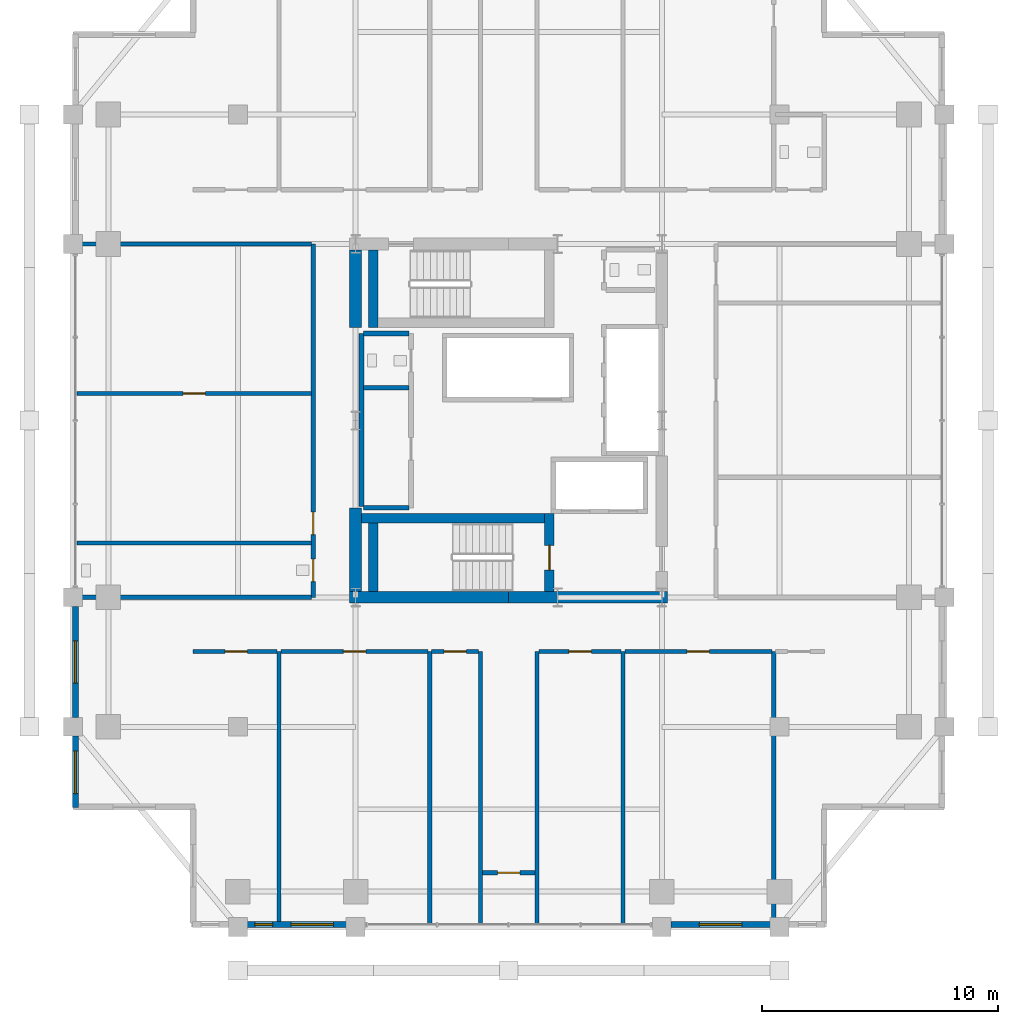
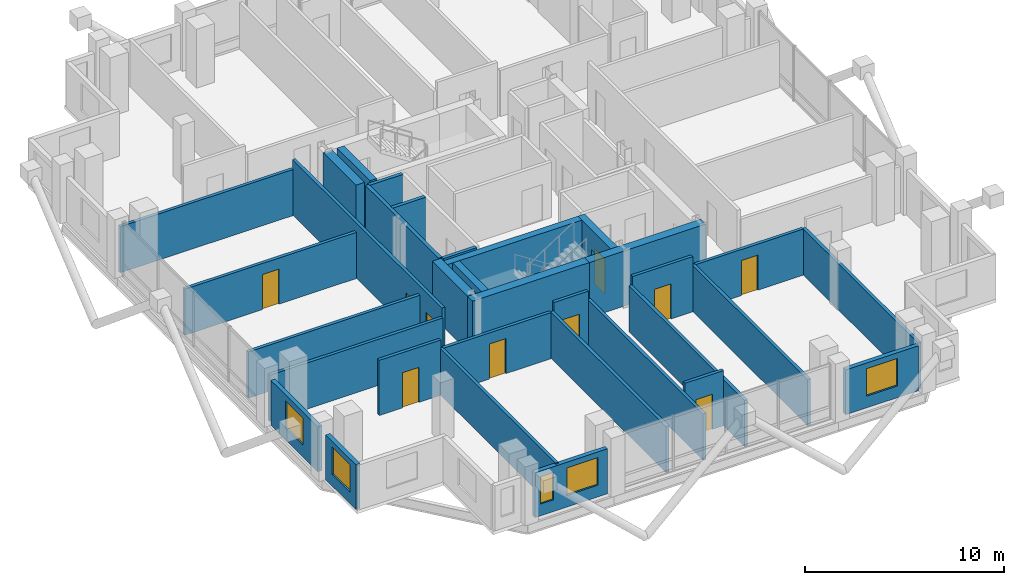
# One storey, part 18 of 23: 33 walls, 10 doors, 5 windows, 15 openings.
"""IFC4 building model written with IfcOpenShell, lengths in metres."""

from ifc_helpers import new_model, si_unit, direction, frame, frame_2d, origin, place, context, subcontext, project, spatial, rectangle, extrude, material, layer, layer_set, type_object, element, fill, save


model = new_model("IFC4")

# Units and contexts
model_context = context("Model", 3, precision=1e-05, world=origin(), true_north=direction((0.0, 1.0)))
body_context = subcontext(model_context, "Body", "Model", "MODEL_VIEW")
ifc_project = project(units=[si_unit("LENGTHUNIT", "METRE"), si_unit("AREAUNIT", "SQUARE_METRE"), si_unit("VOLUMEUNIT", "CUBIC_METRE"), si_unit("PLANEANGLEUNIT", "RADIAN"), si_unit("MASSUNIT", "GRAM", prefix="KILO")], contexts=[model_context])

# Site, building, storey
site_placement = place(None, origin())
site = spatial("IfcSite", under=ifc_project, at=site_placement, CompositionType="ELEMENT")
building_placement = place(site_placement, origin())
building = spatial("IfcBuilding", under=site, at=building_placement, Name="Barlavira Tower and Art Museum", CompositionType="ELEMENT")
storey_placement = place(building_placement, frame((0.0, 0.0, 205.199951171875)))
storey = spatial("IfcBuildingStorey", under=building, at=storey_placement, Name="L53", CompositionType="ELEMENT", Elevation=205.199951171875)

# Walls
ifc_material_1 = material(Name="Concrete C60", Category="concrete")
ifc_layer_1 = layer(ifc_material_1, 0.5, Name="Concrete C60")
ifc_layer_set_1 = layer_set([ifc_layer_1], Name="Concrete C60")
wall_type_1 = type_object("IfcWallType", Name="Core Structural Shear Wall 500 Concrete C60", PredefinedType="SHEAR", material=ifc_layer_set_1)
for number, where, z_axis, x_axis, name in (
    (1, (-6.75, -7.5, 0.0), (0.0, 0.0, 1.0), (1.0, 0.0, 0.0), "L53 Core Shear Wall CS-SW"),
    (2, (0.0, -7.5, 0.0), (0.0, 0.0, 1.0), (1.0, 0.0, 0.0), "L53 Core Shear Wall CS-SE"),
):
    element("IfcWall", number, at=place(storey_placement, frame(where, z_axis=z_axis, x_axis=x_axis)), inside=storey, type_object=wall_type_1, Name=name, PredefinedType="SHEAR", context=body_context, shape_type="SweptSolid", body=[
        extrude(rectangle(XDim=6.75, YDim=0.5, at=frame_2d((3.375, 0.0))), origin(), (0.0, 0.0, 1.0), 3.380126953125),
    ])
wall_1_placement = place(storey_placement, frame((-6.5, -7.25, 0.0), z_axis=(0.0, 0.0, 1.0), x_axis=(0.0, 1.0, 0.0)))
element("IfcWall", 3, at=wall_1_placement, inside=storey, type_object=wall_type_1, Name="L53 Core Shear Wall CS-W1", PredefinedType="SHEAR", context=body_context, shape_type="SweptSolid", body=[
    extrude(rectangle(XDim=3.550048828125, YDim=0.5, at=frame_2d((1.77490234375, 0.0))), origin(), (0.0, 0.0, 1.0), 3.380126953125),
])
wall_2_placement = place(storey_placement, frame((-6.5, 3.949951171875, 0.0), z_axis=(0.0, 0.0, 1.0), x_axis=(0.0, 1.0, 0.0)))
element("IfcWall", 4, at=wall_2_placement, inside=storey, type_object=wall_type_1, Name="L53 Core Shear Wall CS-W2", PredefinedType="SHEAR", context=body_context, shape_type="SweptSolid", body=[
    extrude(rectangle(XDim=3.300048828125, YDim=0.5, at=frame_2d((1.64990234375, 0.0))), origin(), (0.0, 0.0, 1.0), 3.380126953125),
])
ifc_material_2 = material(Name="Autoclaved aerated concrete masonry", Category="masonry")
ifc_layer_2 = layer(ifc_material_2, 0.199951171875, Name="Autoclaved aerated concrete masonry")
ifc_layer_set_2 = layer_set([ifc_layer_2], Name="Autoclaved aerated concrete masonry")
wall_type_2 = type_object("IfcWallType", Name="Fire Compartment and Shaft Wall 200", PredefinedType="SOLIDWALL", material=ifc_layer_set_2)
wall_3_placement = place(storey_placement, frame((-6.25, -3.639892578125, 0.0), z_axis=(0.0, 0.0, 1.0), x_axis=(0.0, 1.0, 0.0)))
element("IfcWall", 5, at=wall_3_placement, inside=storey, type_object=wall_type_2, Name="L53 Partition Wall 4", PredefinedType="SOLIDWALL", context=body_context, shape_type="SweptSolid", body=[
    extrude(rectangle(XDim=7.33984375, YDim=0.199951171875, at=frame_2d((3.669921875, 0.0))), origin(), (0.0, 0.0, 1.0), 3.380126953125),
])
for number, where, z_axis, x_axis, name in (
    (6, (-6.169921875, -3.699951171875, 0.0), (0.0, 0.0, 1.0), (1.0, 0.0, 0.0), "L53 Partition Wall 29"),
    (7, (-6.169921875, 1.39990234375, 0.0), (0.0, 0.0, 1.0), (1.0, 0.0, 0.0), "L53 Partition Wall 32"),
    (8, (-6.169921875, 3.699951171875, 0.0), (0.0, 0.0, 1.0), (1.0, 0.0, 0.0), "L53 Partition Wall 33"),
):
    element("IfcWall", number, at=place(storey_placement, frame(where, z_axis=z_axis, x_axis=x_axis)), inside=storey, type_object=wall_type_2, Name=name, PredefinedType="SOLIDWALL", context=body_context, shape_type="SweptSolid", body=[
        extrude(rectangle(XDim=1.93994140625, YDim=0.199951171875, at=frame_2d((0.969970703125, 0.0))), origin(), (0.0, 0.0, 1.0), 3.380126953125),
    ])
ifc_material_3 = material(Name="Gypsum acoustic stud partition", Category="gypsum")
ifc_layer_3 = layer(ifc_material_3, 0.179931640625, Name="Gypsum acoustic stud partition")
ifc_layer_set_3 = layer_set([ifc_layer_3], Name="Gypsum acoustic stud partition")
wall_type_3 = type_object("IfcWallType", Name="Inter-Tenancy Party Partition Wall 180", PredefinedType="PARTITIONING", material=ifc_layer_set_3)
wall_4_placement = place(storey_placement, frame((-9.75, -21.39990234375, 0.0), z_axis=(0.0, 0.0, 1.0), x_axis=(0.0, 1.0, 0.0)))
element("IfcWall", 9, at=wall_4_placement, inside=storey, type_object=wall_type_3, Name="L53 Partition Wall 1", PredefinedType="PARTITIONING", context=body_context, shape_type="SweptSolid", body=[
    extrude(rectangle(XDim=11.599853515625, YDim=0.179931640625, at=frame_2d((5.7998046875, 0.0))), origin(), (0.0, 0.0, 1.0), 2.825927734375),
])

# Wall, openings, doors
wall_5_placement = place(storey_placement, frame((-8.300048828125, -7.5, 0.0), z_axis=(0.0, 0.0, 1.0), x_axis=(0.0, 1.0, 0.0)))
wall_5 = element("IfcWall", 10, at=wall_5_placement, inside=storey, type_object=wall_type_3, Name="L53 Partition Wall 3", PredefinedType="PARTITIONING", context=body_context, shape_type="SweptSolid", body=[
    extrude(rectangle(XDim=15.0, YDim=0.179931640625, at=frame_2d((7.5, 0.0))), origin(), (0.0, 0.0, 1.0), 3.380126953125),
])
opening_1_placement = place(wall_5_placement, frame((0.6650390625, 0.0, 0.0)))
opening_1 = element("IfcOpeningElement", 11, at=opening_1_placement, cuts=wall_5, Name="Opening FD-60", PredefinedType="OPENING", context=body_context, shape_type="SweptSolid", body=[
    extrude(rectangle(XDim=0.949951171875, YDim=2.14990234375, at=frame_2d((0.47509765625, 1.074951171875))), frame((0.0, 0.10009765625, 0.0), z_axis=(0.0, -1.0, 0.0), x_axis=(1.0, 0.0, 0.0)), (0.0, 0.0, 1.0), 0.199951171875),
])
opening_2_placement = place(wall_5_placement, frame((2.6650390625, 0.0, 0.0)))
opening_2 = element("IfcOpeningElement", 12, at=opening_2_placement, cuts=wall_5, Name="Opening FD-60", PredefinedType="OPENING", context=body_context, shape_type="SweptSolid", body=[
    extrude(rectangle(XDim=0.949951171875, YDim=2.14990234375, at=frame_2d((0.47509765625, 1.074951171875))), frame((0.0, 0.10009765625, 0.0), z_axis=(0.0, -1.0, 0.0), x_axis=(1.0, 0.0, 0.0)), (0.0, 0.0, 1.0), 0.199951171875),
])
ifc_material_4 = material(Name="Brushed stainless steel", Category="steel")
door_type_1 = type_object("IfcDoorType", Name="Apartment Entrance and Riser Fire Door 950x2150 FD60S", OperationType="NOTDEFINED", PredefinedType="DOOR", material=ifc_material_4)
door_1_placement = place(opening_1_placement, origin())
door_1 = element("IfcDoor", 13, at=door_1_placement, inside=storey, type_object=door_type_1, Name="Wellness Changing and Accessible Shower WC Door", OperationType="SINGLE_SWING_LEFT", OverallHeight=2.14990234375, OverallWidth=0.949951171875, PredefinedType="DOOR", context=body_context, shape_type="SweptSolid", body=[
    extrude(rectangle(XDim=0.949951171875, YDim=2.14990234375, at=frame_2d((0.47509765625, 1.074951171875))), frame((0.0, 0.02490234375, 0.0), z_axis=(0.0, -1.0, 0.0), x_axis=(1.0, 0.0, 0.0)), (0.0, 0.0, 1.0), 0.050048828125),
])
fill(opening_1, door_1)
door_2_placement = place(opening_2_placement, origin())
door_2 = element("IfcDoor", 14, at=door_2_placement, inside=storey, type_object=door_type_1, Name="Resident Ocean-View Fitness Studio Door", OperationType="SINGLE_SWING_RIGHT", OverallHeight=2.14990234375, OverallWidth=0.949951171875, PredefinedType="DOOR", context=body_context, shape_type="SweptSolid", body=[
    extrude(rectangle(XDim=0.949951171875, YDim=2.14990234375, at=frame_2d((0.47509765625, 1.074951171875))), frame((0.0, 0.02490234375, 0.0), z_axis=(0.0, -1.0, 0.0), x_axis=(1.0, 0.0, 0.0)), (0.0, 0.0, 1.0), 0.050048828125),
])
fill(opening_2, door_2)

# Walls
for number, where, z_axis, x_axis, name in (
    (15, (-3.35009765625, -21.39990234375, 0.0), (0.0, 0.0, 1.0), (0.0, 1.0, 0.0), "L53 Partition Wall 6"),
    (16, (-1.199951171875, -21.39990234375, 0.0), (0.0, 0.0, 1.0), (0.0, 1.0, 0.0), "L53 Partition Wall 8"),
    (17, (1.199951171875, -21.39990234375, 0.0), (0.0, 0.0, 1.0), (0.0, 1.0, 0.0), "L53 Partition Wall 10"),
    (18, (4.85009765625, -21.39990234375, 0.0), (0.0, 0.0, 1.0), (0.0, 1.0, 0.0), "L53 Partition Wall 13"),
    (19, (11.25, -21.39990234375, 0.0), (0.0, 0.0, 1.0), (0.0, 1.0, 0.0), "L53 Partition Wall 16"),
):
    element("IfcWall", number, at=place(storey_placement, frame(where, z_axis=z_axis, x_axis=x_axis)), inside=storey, type_object=wall_type_3, Name=name, PredefinedType="PARTITIONING", context=body_context, shape_type="SweptSolid", body=[
        extrude(rectangle(XDim=11.599853515625, YDim=0.179931640625, at=frame_2d((5.7998046875, 0.0))), origin(), (0.0, 0.0, 1.0), 2.825927734375),
    ])

# Wall, opening, door
wall_6_placement = place(storey_placement, frame((-1.1201171875, -19.199951171875, 0.0), z_axis=(0.0, 0.0, 1.0), x_axis=(1.0, 0.0, 0.0)))
wall_6 = element("IfcWall", 20, at=wall_6_placement, inside=storey, type_object=wall_type_3, Name="L53 Partition Wall 19", PredefinedType="PARTITIONING", context=body_context, shape_type="SweptSolid", body=[
    extrude(rectangle(XDim=2.240234375, YDim=0.179931640625, at=frame_2d((1.1201171875, 0.0))), origin(), (0.0, 0.0, 1.0), 3.380126953125),
])
opening_3_placement = place(wall_6_placement, frame((0.64501953125, 0.0, 0.0)))
opening_3 = element("IfcOpeningElement", 21, at=opening_3_placement, cuts=wall_6, Name="Opening FD-60", PredefinedType="OPENING", context=body_context, shape_type="SweptSolid", body=[
    extrude(rectangle(XDim=0.949951171875, YDim=2.14990234375, at=frame_2d((0.47509765625, 1.074951171875))), frame((0.0, 0.10009765625, 0.0), z_axis=(0.0, -1.0, 0.0), x_axis=(1.0, 0.0, 0.0)), (0.0, 0.0, 1.0), 0.199951171875),
])
door_3_placement = place(opening_3_placement, origin())
door_3 = element("IfcDoor", 22, at=door_3_placement, inside=storey, type_object=door_type_1, Name="L53 South Horizon Reading Alcove Door", OperationType="SINGLE_SWING_RIGHT", OverallHeight=2.14990234375, OverallWidth=0.949951171875, PredefinedType="DOOR", context=body_context, shape_type="SweptSolid", body=[
    extrude(rectangle(XDim=0.949951171875, YDim=2.14990234375, at=frame_2d((0.47509765625, 1.074951171875))), frame((0.0, 0.02490234375, 0.0), z_axis=(0.0, -1.0, 0.0), x_axis=(1.0, 0.0, 0.0)), (0.0, 0.0, 1.0), 0.050048828125),
])
fill(opening_3, door_3)

wall_7_placement = place(storey_placement, frame((-13.39990234375, -9.800048828125, 0.0), z_axis=(0.0, 0.0, 1.0), x_axis=(1.0, 0.0, 0.0)))
wall_7 = element("IfcWall", 23, at=wall_7_placement, inside=storey, type_object=wall_type_3, Name="L53 Partition Wall 20", PredefinedType="PARTITIONING", context=body_context, shape_type="SweptSolid", body=[
    extrude(rectangle(XDim=3.56982421875, YDim=0.179931640625, at=frame_2d((1.784912109375, 0.0))), origin(), (0.0, 0.0, 1.0), 3.380126953125),
])
opening_4_placement = place(wall_7_placement, frame((1.35498046875, 0.0, 0.0)))
opening_4 = element("IfcOpeningElement", 24, at=opening_4_placement, cuts=wall_7, Name="Opening FD-60", PredefinedType="OPENING", context=body_context, shape_type="SweptSolid", body=[
    extrude(rectangle(XDim=0.949951171875, YDim=2.14990234375, at=frame_2d((0.47509765625, 1.074951171875))), frame((0.0, 0.10009765625, 0.0), z_axis=(0.0, -1.0, 0.0), x_axis=(1.0, 0.0, 0.0)), (0.0, 0.0, 1.0), 0.199951171875),
])
door_4_placement = place(opening_4_placement, origin())
door_4 = element("IfcDoor", 25, at=door_4_placement, inside=storey, type_object=door_type_1, Name="Resident Art Collectors Salon Door", OperationType="SINGLE_SWING_LEFT", OverallHeight=2.14990234375, OverallWidth=0.949951171875, PredefinedType="DOOR", context=body_context, shape_type="SweptSolid", body=[
    extrude(rectangle(XDim=0.949951171875, YDim=2.14990234375, at=frame_2d((0.47509765625, 1.074951171875))), frame((0.0, 0.02490234375, 0.0), z_axis=(0.0, -1.0, 0.0), x_axis=(1.0, 0.0, 0.0)), (0.0, 0.0, 1.0), 0.050048828125),
])
fill(opening_4, door_4)

wall_8_placement = place(storey_placement, frame((-9.669921875, -9.800048828125, 0.0), z_axis=(0.0, 0.0, 1.0), x_axis=(1.0, 0.0, 0.0)))
wall_8 = element("IfcWall", 26, at=wall_8_placement, inside=storey, type_object=wall_type_3, Name="L53 Partition Wall 21", PredefinedType="PARTITIONING", context=body_context, shape_type="SweptSolid", body=[
    extrude(rectangle(XDim=6.239990234375, YDim=0.179931640625, at=frame_2d((3.1201171875, 0.0))), origin(), (0.0, 0.0, 1.0), 2.825927734375),
])
opening_5_placement = place(wall_8_placement, frame((2.655029296875, 0.0, 0.0)))
opening_5 = element("IfcOpeningElement", 27, at=opening_5_placement, cuts=wall_8, Name="Opening FD-60", PredefinedType="OPENING", context=body_context, shape_type="SweptSolid", body=[
    extrude(rectangle(XDim=0.949951171875, YDim=2.14990234375, at=frame_2d((0.47509765625, 1.074951171875))), frame((0.0, 0.10009765625, 0.0), z_axis=(0.0, -1.0, 0.0), x_axis=(1.0, 0.0, 0.0)), (0.0, 0.0, 1.0), 0.199951171875),
])
door_5_placement = place(opening_5_placement, origin())
door_5 = element("IfcDoor", 28, at=door_5_placement, inside=storey, type_object=door_type_1, Name="Sculpture and Painting Workshop Door", OperationType="SINGLE_SWING_RIGHT", OverallHeight=2.14990234375, OverallWidth=0.949951171875, PredefinedType="DOOR", context=body_context, shape_type="SweptSolid", body=[
    extrude(rectangle(XDim=0.949951171875, YDim=2.14990234375, at=frame_2d((0.47509765625, 1.074951171875))), frame((0.0, 0.02490234375, 0.0), z_axis=(0.0, -1.0, 0.0), x_axis=(1.0, 0.0, 0.0)), (0.0, 0.0, 1.0), 0.050048828125),
])
fill(opening_5, door_5)

wall_9_placement = place(storey_placement, frame((-3.27001953125, -9.800048828125, 0.0), z_axis=(0.0, 0.0, 1.0), x_axis=(1.0, 0.0, 0.0)))
wall_9 = element("IfcWall", 29, at=wall_9_placement, inside=storey, type_object=wall_type_3, Name="L53 Partition Wall 22", PredefinedType="PARTITIONING", context=body_context, shape_type="SweptSolid", body=[
    extrude(rectangle(XDim=1.989990234375, YDim=0.179931640625, at=frame_2d((0.9951171875, 0.0))), origin(), (0.0, 0.0, 1.0), 3.380126953125),
])
opening_6_placement = place(wall_9_placement, frame((0.52490234375, 0.0, 0.0)))
opening_6 = element("IfcOpeningElement", 30, at=opening_6_placement, cuts=wall_9, Name="Opening FD-60", PredefinedType="OPENING", context=body_context, shape_type="SweptSolid", body=[
    extrude(rectangle(XDim=0.949951171875, YDim=2.14990234375, at=frame_2d((0.47509765625, 1.074951171875))), frame((0.0, 0.10009765625, 0.0), z_axis=(0.0, -1.0, 0.0), x_axis=(1.0, 0.0, 0.0)), (0.0, 0.0, 1.0), 0.199951171875),
])
door_6_placement = place(opening_6_placement, origin())
door_6 = element("IfcDoor", 31, at=door_6_placement, inside=storey, type_object=door_type_1, Name="Climate-Controlled Wine Tasting Room Door", OperationType="SINGLE_SWING_LEFT", OverallHeight=2.14990234375, OverallWidth=0.949951171875, PredefinedType="DOOR", context=body_context, shape_type="SweptSolid", body=[
    extrude(rectangle(XDim=0.949951171875, YDim=2.14990234375, at=frame_2d((0.47509765625, 1.074951171875))), frame((0.0, 0.02490234375, 0.0), z_axis=(0.0, -1.0, 0.0), x_axis=(1.0, 0.0, 0.0)), (0.0, 0.0, 1.0), 0.050048828125),
])
fill(opening_6, door_6)

wall_10_placement = place(storey_placement, frame((1.280029296875, -9.800048828125, 0.0), z_axis=(0.0, 0.0, 1.0), x_axis=(1.0, 0.0, 0.0)))
wall_10 = element("IfcWall", 32, at=wall_10_placement, inside=storey, type_object=wall_type_3, Name="L53 Partition Wall 23", PredefinedType="PARTITIONING", context=body_context, shape_type="SweptSolid", body=[
    extrude(rectangle(XDim=3.489990234375, YDim=0.179931640625, at=frame_2d((1.7451171875, 0.0))), origin(), (0.0, 0.0, 1.0), 3.380126953125),
])
opening_7_placement = place(wall_10_placement, frame((1.27490234375, 0.0, 0.0)))
opening_7 = element("IfcOpeningElement", 33, at=opening_7_placement, cuts=wall_10, Name="Opening FD-60", PredefinedType="OPENING", context=body_context, shape_type="SweptSolid", body=[
    extrude(rectangle(XDim=0.949951171875, YDim=2.14990234375, at=frame_2d((0.47509765625, 1.074951171875))), frame((0.0, 0.10009765625, 0.0), z_axis=(0.0, -1.0, 0.0), x_axis=(1.0, 0.0, 0.0)), (0.0, 0.0, 1.0), 0.199951171875),
])
door_7_placement = place(opening_7_placement, origin())
door_7 = element("IfcDoor", 34, at=door_7_placement, inside=storey, type_object=door_type_1, Name="Resident Rare-Book Reading Room Door", OperationType="SINGLE_SWING_RIGHT", OverallHeight=2.14990234375, OverallWidth=0.949951171875, PredefinedType="DOOR", context=body_context, shape_type="SweptSolid", body=[
    extrude(rectangle(XDim=0.949951171875, YDim=2.14990234375, at=frame_2d((0.47509765625, 1.074951171875))), frame((0.0, 0.02490234375, 0.0), z_axis=(0.0, -1.0, 0.0), x_axis=(1.0, 0.0, 0.0)), (0.0, 0.0, 1.0), 0.050048828125),
])
fill(opening_7, door_7)

wall_11_placement = place(storey_placement, frame((4.929931640625, -9.800048828125, 0.0), z_axis=(0.0, 0.0, 1.0), x_axis=(1.0, 0.0, 0.0)))
wall_11 = element("IfcWall", 35, at=wall_11_placement, inside=storey, type_object=wall_type_3, Name="L53 Partition Wall 24", PredefinedType="PARTITIONING", context=body_context, shape_type="SweptSolid", body=[
    extrude(rectangle(XDim=6.239990234375, YDim=0.179931640625, at=frame_2d((3.1201171875, 0.0))), origin(), (0.0, 0.0, 1.0), 2.825927734375),
])
opening_8_placement = place(wall_11_placement, frame((2.64501953125, 0.0, 0.0)))
opening_8 = element("IfcOpeningElement", 36, at=opening_8_placement, cuts=wall_11, Name="Opening FD-60", PredefinedType="OPENING", context=body_context, shape_type="SweptSolid", body=[
    extrude(rectangle(XDim=0.949951171875, YDim=2.14990234375, at=frame_2d((0.47509765625, 1.074951171875))), frame((0.0, 0.10009765625, 0.0), z_axis=(0.0, -1.0, 0.0), x_axis=(1.0, 0.0, 0.0)), (0.0, 0.0, 1.0), 0.199951171875),
])
door_8_placement = place(opening_8_placement, origin())
door_8 = element("IfcDoor", 37, at=door_8_placement, inside=storey, type_object=door_type_1, Name="Private Coastal Dining Salon Door", OperationType="SINGLE_SWING_LEFT", OverallHeight=2.14990234375, OverallWidth=0.949951171875, PredefinedType="DOOR", context=body_context, shape_type="SweptSolid", body=[
    extrude(rectangle(XDim=0.949951171875, YDim=2.14990234375, at=frame_2d((0.47509765625, 1.074951171875))), frame((0.0, 0.02490234375, 0.0), z_axis=(0.0, -1.0, 0.0), x_axis=(1.0, 0.0, 0.0)), (0.0, 0.0, 1.0), 0.050048828125),
])
fill(opening_8, door_8)

# Walls
wall_12_placement = place(storey_placement, frame((-18.39990234375, -7.5, 0.0), z_axis=(0.0, 0.0, 1.0), x_axis=(1.0, 0.0, 0.0)))
element("IfcWall", 38, at=wall_12_placement, inside=storey, type_object=wall_type_3, Name="L53 Partition Wall 26", PredefinedType="PARTITIONING", context=body_context, shape_type="SweptSolid", body=[
    extrude(rectangle(XDim=10.02001953125, YDim=0.179931640625, at=frame_2d((5.010009765625, 0.0))), origin(), (0.0, 0.0, 1.0), 2.825927734375),
])
wall_13_placement = place(storey_placement, frame((-18.320068359375, -5.199951171875, 0.0), z_axis=(0.0, 0.0, 1.0), x_axis=(1.0, 0.0, 0.0)))
element("IfcWall", 39, at=wall_13_placement, inside=storey, type_object=wall_type_3, Name="L53 Partition Wall 28", PredefinedType="PARTITIONING", context=body_context, shape_type="SweptSolid", body=[
    extrude(rectangle(XDim=9.940185546875, YDim=0.179931640625, at=frame_2d((4.97021484375, 0.0))), origin(), (0.0, 0.0, 1.0), 2.825927734375),
])

# Wall, opening, door
wall_14_placement = place(storey_placement, frame((-18.320068359375, 1.14990234375, 0.0), z_axis=(0.0, 0.0, 1.0), x_axis=(1.0, 0.0, 0.0)))
wall_14 = element("IfcWall", 40, at=wall_14_placement, inside=storey, type_object=wall_type_3, Name="L53 Partition Wall 31", PredefinedType="PARTITIONING", context=body_context, shape_type="SweptSolid", body=[
    extrude(rectangle(XDim=9.940185546875, YDim=0.179931640625, at=frame_2d((4.97021484375, 0.0))), origin(), (0.0, 0.0, 1.0), 2.825927734375),
])
opening_9_placement = place(wall_14_placement, frame((4.4951171875, 0.0, 0.0)))
opening_9 = element("IfcOpeningElement", 41, at=opening_9_placement, cuts=wall_14, Name="Opening FD-60", PredefinedType="OPENING", context=body_context, shape_type="SweptSolid", body=[
    extrude(rectangle(XDim=0.949951171875, YDim=2.14990234375, at=frame_2d((0.47509765625, 1.074951171875))), frame((0.0, 0.10009765625, 0.0), z_axis=(0.0, -1.0, 0.0), x_axis=(1.0, 0.0, 0.0)), (0.0, 0.0, 1.0), 0.199951171875),
])
door_9_placement = place(opening_9_placement, origin())
door_9 = element("IfcDoor", 42, at=door_9_placement, inside=storey, type_object=door_type_1, Name="Coastal Hydrotherapy and Yoga Lounge Door", OperationType="SINGLE_SWING_LEFT", OverallHeight=2.14990234375, OverallWidth=0.949951171875, PredefinedType="DOOR", context=body_context, shape_type="SweptSolid", body=[
    extrude(rectangle(XDim=0.949951171875, YDim=2.14990234375, at=frame_2d((0.47509765625, 1.074951171875))), frame((0.0, 0.02490234375, 0.0), z_axis=(0.0, -1.0, 0.0), x_axis=(1.0, 0.0, 0.0)), (0.0, 0.0, 1.0), 0.050048828125),
])
fill(opening_9, door_9)

# Wall
wall_15_placement = place(storey_placement, frame((-18.39990234375, 7.5, 0.0), z_axis=(0.0, 0.0, 1.0), x_axis=(1.0, 0.0, 0.0)))
element("IfcWall", 43, at=wall_15_placement, inside=storey, type_object=wall_type_3, Name="L53 Partition Wall 37", PredefinedType="PARTITIONING", context=body_context, shape_type="SweptSolid", body=[
    extrude(rectangle(XDim=10.02001953125, YDim=0.179931640625, at=frame_2d((5.010009765625, 0.0))), origin(), (0.0, 0.0, 1.0), 2.825927734375),
])

# Wall, openings, windows
ifc_material_5 = material(Name="Precast concrete C40", Category="concrete")
ifc_layer_4 = layer(ifc_material_5, 0.25, Name="Precast concrete C40")
ifc_layer_set_4 = layer_set([ifc_layer_4], Name="Precast concrete C40")
wall_type_4 = type_object("IfcWallType", Name="Notched Corner Spandrel Wall 250 Precast Concrete C40", PredefinedType="SOLIDWALL", material=ifc_layer_set_4)
wall_16_placement = place(storey_placement, frame((-11.10498046875, -21.39990234375, 0.0), z_axis=(0.0, 0.0, 1.0), x_axis=(1.0, 0.0, 0.0)))
wall_16 = element("IfcWall", 44, at=wall_16_placement, inside=storey, type_object=wall_type_4, Name="L53 Coastal Facade Pier Wall CW3-L53-S-2", PredefinedType="SOLIDWALL", context=body_context, shape_type="SweptSolid", body=[
    extrude(rectangle(XDim=4.2099609375, YDim=0.25, at=frame_2d((2.10498046875, 0.0))), origin(), (0.0, 0.0, 1.0), 2.748046875),
])
opening_10_placement = place(wall_16_placement, frame((0.324951171875, 0.0, 0.719970703125)))
opening_10 = element("IfcOpeningElement", 45, at=opening_10_placement, cuts=wall_16, Name="Opening WN-06", PredefinedType="OPENING", context=body_context, shape_type="SweptSolid", body=[
    extrude(rectangle(XDim=0.760009765625, YDim=1.679931640625, at=frame_2d((0.3798828125, 0.83984375))), frame((0.0, 0.135009765625, 0.0), z_axis=(0.0, -1.0, 0.0), x_axis=(1.0, 0.0, 0.0)), (0.0, 0.0, 1.0), 0.27001953125),
])
opening_11_placement = place(wall_16_placement, frame((1.864990234375, 0.0, 0.719970703125)))
opening_11 = element("IfcOpeningElement", 46, at=opening_11_placement, cuts=wall_16, Name="Opening WN-01", PredefinedType="OPENING", context=body_context, shape_type="SweptSolid", body=[
    extrude(rectangle(XDim=1.800048828125, YDim=1.679931640625, at=frame_2d((0.89990234375, 0.83984375))), frame((0.0, 0.135009765625, 0.0), z_axis=(0.0, -1.0, 0.0), x_axis=(1.0, 0.0, 0.0)), (0.0, 0.0, 1.0), 0.27001953125),
])
ifc_material_6 = material(Name="Low-iron coastal laminated glass", Category="glass")
window_type_1 = type_object("IfcWindowType", Name="Recessed Narrow Pier Window 760x1680", PartitioningType="SINGLE_PANEL", PredefinedType="WINDOW", material=ifc_material_6)
window_1_placement = place(opening_10_placement, origin())
window_1 = element("IfcWindow", 47, at=window_1_placement, inside=storey, type_object=window_type_1, Name="L53 Punched Facade Window EWP-CW3-L53-S-2-1", OverallHeight=1.679931640625, OverallWidth=0.760009765625, PartitioningType="SINGLE_PANEL", PredefinedType="WINDOW", context=body_context, shape_type="SweptSolid", body=[
    extrude(rectangle(XDim=0.760009765625, YDim=1.679931640625, at=frame_2d((0.3798828125, 0.83984375))), frame((0.0, 0.030029296875, 0.0), z_axis=(0.0, -1.0, 0.0), x_axis=(1.0, 0.0, 0.0)), (0.0, 0.0, 1.0), 0.06005859375),
])
fill(opening_10, window_1)
window_type_2 = type_object("IfcWindowType", Name="Recessed Notch Corner Punch Window 1800x1680", PartitioningType="SINGLE_PANEL", PredefinedType="WINDOW", material=ifc_material_6)
window_2_placement = place(opening_11_placement, origin())
window_2 = element("IfcWindow", 48, at=window_2_placement, inside=storey, type_object=window_type_2, Name="L53 Punched Facade Window EWP-CW3-L53-S-2-2", OverallHeight=1.679931640625, OverallWidth=1.800048828125, PartitioningType="SINGLE_PANEL", PredefinedType="WINDOW", context=body_context, shape_type="SweptSolid", body=[
    extrude(rectangle(XDim=1.800048828125, YDim=1.679931640625, at=frame_2d((0.89990234375, 0.83984375))), frame((0.0, 0.030029296875, 0.0), z_axis=(0.0, -1.0, 0.0), x_axis=(1.0, 0.0, 0.0)), (0.0, 0.0, 1.0), 0.06005859375),
])
fill(opening_11, window_2)

# Wall, opening, window
wall_17_placement = place(storey_placement, frame((6.89501953125, -21.39990234375, 0.0), z_axis=(0.0, 0.0, 1.0), x_axis=(1.0, 0.0, 0.0)))
wall_17 = element("IfcWall", 49, at=wall_17_placement, inside=storey, type_object=wall_type_4, Name="L53 Coastal Facade Pier Wall CW3-L53-S-4", PredefinedType="SOLIDWALL", context=body_context, shape_type="SweptSolid", body=[
    extrude(rectangle(XDim=4.2099609375, YDim=0.25, at=frame_2d((2.10498046875, 0.0))), origin(), (0.0, 0.0, 1.0), 2.748046875),
])
opening_12_placement = place(wall_17_placement, frame((1.205078125, 0.0, 0.719970703125)))
opening_12 = element("IfcOpeningElement", 50, at=opening_12_placement, cuts=wall_17, Name="Opening WN-01", PredefinedType="OPENING", context=body_context, shape_type="SweptSolid", body=[
    extrude(rectangle(XDim=1.800048828125, YDim=1.679931640625, at=frame_2d((0.89990234375, 0.83984375))), frame((0.0, 0.135009765625, 0.0), z_axis=(0.0, -1.0, 0.0), x_axis=(1.0, 0.0, 0.0)), (0.0, 0.0, 1.0), 0.27001953125),
])
window_3_placement = place(opening_12_placement, origin())
window_3 = element("IfcWindow", 51, at=window_3_placement, inside=storey, type_object=window_type_2, Name="L53 Punched Facade Window EWP-CW3-L53-S-4-1", OverallHeight=1.679931640625, OverallWidth=1.800048828125, PartitioningType="SINGLE_PANEL", PredefinedType="WINDOW", context=body_context, shape_type="SweptSolid", body=[
    extrude(rectangle(XDim=1.800048828125, YDim=1.679931640625, at=frame_2d((0.89990234375, 0.83984375))), frame((0.0, 0.030029296875, 0.0), z_axis=(0.0, -1.0, 0.0), x_axis=(1.0, 0.0, 0.0)), (0.0, 0.0, 1.0), 0.06005859375),
])
fill(opening_12, window_3)

wall_18_placement = place(storey_placement, frame((-18.39990234375, -7.89501953125, 0.0), z_axis=(0.0, 0.0, 1.0), x_axis=(0.0, -1.0, 0.0)))
wall_18 = element("IfcWall", 52, at=wall_18_placement, inside=storey, type_object=wall_type_4, Name="L53 Coastal Facade Pier Wall CW3-L53-W-4", PredefinedType="SOLIDWALL", context=body_context, shape_type="SweptSolid", body=[
    extrude(rectangle(XDim=4.7099609375, YDim=0.25, at=frame_2d((2.35498046875, 0.0))), origin(), (0.0, 0.0, 1.0), 2.748046875),
])
opening_13_placement = place(wall_18_placement, frame((1.455078125, 0.0, 0.719970703125)))
opening_13 = element("IfcOpeningElement", 53, at=opening_13_placement, cuts=wall_18, Name="Opening WN-01", PredefinedType="OPENING", context=body_context, shape_type="SweptSolid", body=[
    extrude(rectangle(XDim=1.800048828125, YDim=1.679931640625, at=frame_2d((0.89990234375, 0.83984375))), frame((0.0, 0.135009765625, 0.0), z_axis=(0.0, -1.0, 0.0), x_axis=(1.0, 0.0, 0.0)), (0.0, 0.0, 1.0), 0.27001953125),
])
window_4_placement = place(opening_13_placement, origin())
window_4 = element("IfcWindow", 54, at=window_4_placement, inside=storey, type_object=window_type_2, Name="L53 Punched Facade Window EWP-CW3-L53-W-4-1", OverallHeight=1.679931640625, OverallWidth=1.800048828125, PartitioningType="SINGLE_PANEL", PredefinedType="WINDOW", context=body_context, shape_type="SweptSolid", body=[
    extrude(rectangle(XDim=1.800048828125, YDim=1.679931640625, at=frame_2d((0.89990234375, 0.83984375))), frame((0.0, 0.030029296875, 0.0), z_axis=(0.0, -1.0, 0.0), x_axis=(1.0, 0.0, 0.0)), (0.0, 0.0, 1.0), 0.06005859375),
])
fill(opening_13, window_4)

wall_19_placement = place(storey_placement, frame((-18.39990234375, -13.39501953125, 0.0), z_axis=(0.0, 0.0, 1.0), x_axis=(0.0, -1.0, 0.0)))
wall_19 = element("IfcWall", 55, at=wall_19_placement, inside=storey, type_object=wall_type_4, Name="L53 Coastal Facade Pier Wall CW3-L53-W-5", PredefinedType="SOLIDWALL", context=body_context, shape_type="SweptSolid", body=[
    extrude(rectangle(XDim=3.030029296875, YDim=0.25, at=frame_2d((1.51513671875, 0.0))), origin(), (0.0, 0.0, 1.0), 2.748046875),
])
opening_14_placement = place(wall_19_placement, frame((0.637939453125, 0.0, 0.719970703125)))
opening_14 = element("IfcOpeningElement", 56, at=opening_14_placement, cuts=wall_19, Name="Opening WN-01", PredefinedType="OPENING", context=body_context, shape_type="SweptSolid", body=[
    extrude(rectangle(XDim=1.800048828125, YDim=1.679931640625, at=frame_2d((0.89990234375, 0.83984375))), frame((0.0, 0.135009765625, 0.0), z_axis=(0.0, -1.0, 0.0), x_axis=(1.0, 0.0, 0.0)), (0.0, 0.0, 1.0), 0.27001953125),
])
window_5_placement = place(opening_14_placement, origin())
window_5 = element("IfcWindow", 57, at=window_5_placement, inside=storey, type_object=window_type_2, Name="L53 Punched Facade Window EWP-CW3-L53-W-5-1", OverallHeight=1.679931640625, OverallWidth=1.800048828125, PartitioningType="SINGLE_PANEL", PredefinedType="WINDOW", context=body_context, shape_type="SweptSolid", body=[
    extrude(rectangle(XDim=1.800048828125, YDim=1.679931640625, at=frame_2d((0.89990234375, 0.83984375))), frame((0.0, 0.030029296875, 0.0), z_axis=(0.0, -1.0, 0.0), x_axis=(1.0, 0.0, 0.0)), (0.0, 0.0, 1.0), 0.06005859375),
])
fill(opening_14, window_5)

# Walls
ifc_material_7 = material(Name="Concrete C55", Category="concrete")
ifc_layer_5 = layer(ifc_material_7, 0.39990234375, Name="Concrete C55")
ifc_layer_set_5 = layer_set([ifc_layer_5], Name="Concrete C55")
wall_type_5 = type_object("IfcWallType", Name="Upper Core Shear Wall 400 Concrete C55", PredefinedType="SHEAR", material=ifc_layer_set_5)
wall_20_placement = place(storey_placement, frame((-5.75, -7.25, 0.0), z_axis=(0.0, 0.0, 1.0), x_axis=(0.0, 1.0, 0.0)))
element("IfcWall", 58, at=wall_20_placement, inside=storey, type_object=wall_type_5, Name="L53 ST-T1 West Half-Landing Wall", PredefinedType="SHEAR", context=body_context, shape_type="SweptSolid", body=[
    extrude(rectangle(XDim=2.89990234375, YDim=0.39990234375, at=frame_2d((1.449951171875, 0.0))), origin(), (0.0, 0.0, 1.0), 3.380126953125),
])
wall_21_placement = place(storey_placement, frame((-6.25, -4.14990234375, 0.0), z_axis=(0.0, 0.0, 1.0), x_axis=(1.0, 0.0, 0.0)))
element("IfcWall", 59, at=wall_21_placement, inside=storey, type_object=wall_type_5, Name="L53 ST-T1 North Shaft Wall", PredefinedType="SHEAR", context=body_context, shape_type="SweptSolid", body=[
    extrude(rectangle(XDim=7.780029296875, YDim=0.39990234375, at=frame_2d((3.89013671875, 0.0))), origin(), (0.0, 0.0, 1.0), 3.380126953125),
])

# Wall, opening, door
wall_22_placement = place(storey_placement, frame((1.72998046875, -7.25, 0.0), z_axis=(0.0, 0.0, 1.0), x_axis=(0.0, 1.0, 0.0)))
wall_22 = element("IfcWall", 60, at=wall_22_placement, inside=storey, type_object=wall_type_5, Name="L53 ST-T1 East Landing Wall", PredefinedType="SHEAR", context=body_context, shape_type="SweptSolid", body=[
    extrude(rectangle(XDim=3.300048828125, YDim=0.39990234375, at=frame_2d((1.64990234375, 0.0))), origin(), (0.0, 0.0, 1.0), 3.380126953125),
])
opening_15_placement = place(wall_22_placement, frame((0.89990234375, 0.0, 0.0)))
opening_15 = element("IfcOpeningElement", 61, at=opening_15_placement, cuts=wall_22, Name="Opening FD-90", PredefinedType="OPENING", context=body_context, shape_type="SweptSolid", body=[
    extrude(rectangle(XDim=1.050048828125, YDim=2.14990234375, at=frame_2d((0.52490234375, 1.074951171875))), frame((0.0, 0.2099609375, 0.0), z_axis=(0.0, -1.0, 0.0), x_axis=(1.0, 0.0, 0.0)), (0.0, 0.0, 1.0), 0.419921875),
])
door_type_2 = type_object("IfcDoorType", Name="Stair and Refuge Fire Door 1050x2150 FD90S", OperationType="NOTDEFINED", PredefinedType="DOOR", material=ifc_material_4)
door_10_placement = place(opening_15_placement, origin())
door_10 = element("IfcDoor", 62, at=door_10_placement, inside=storey, type_object=door_type_2, Name="L53 Stair ST-T1 Fire Door", OperationType="SINGLE_SWING_RIGHT", OverallHeight=2.14990234375, OverallWidth=1.050048828125, PredefinedType="DOOR", context=body_context, shape_type="SweptSolid", body=[
    extrude(rectangle(XDim=1.050048828125, YDim=2.14990234375, at=frame_2d((0.52490234375, 1.074951171875))), frame((0.0, 0.02490234375, 0.0), z_axis=(0.0, -1.0, 0.0), x_axis=(1.0, 0.0, 0.0)), (0.0, 0.0, 1.0), 0.050048828125),
])
fill(opening_15, door_10)

# Wall
wall_23_placement = place(storey_placement, frame((-5.75, 3.949951171875, 0.0), z_axis=(0.0, 0.0, 1.0), x_axis=(0.0, 1.0, 0.0)))
element("IfcWall", 63, at=wall_23_placement, inside=storey, type_object=wall_type_5, Name="L53 ST-T2 West Shaft Wall", PredefinedType="SHEAR", context=body_context, shape_type="SweptSolid", body=[
    extrude(rectangle(XDim=3.300048828125, YDim=0.39990234375, at=frame_2d((1.64990234375, 0.0))), origin(), (0.0, 0.0, 1.0), 3.380126953125),
])

save(model, "model.ifc")
